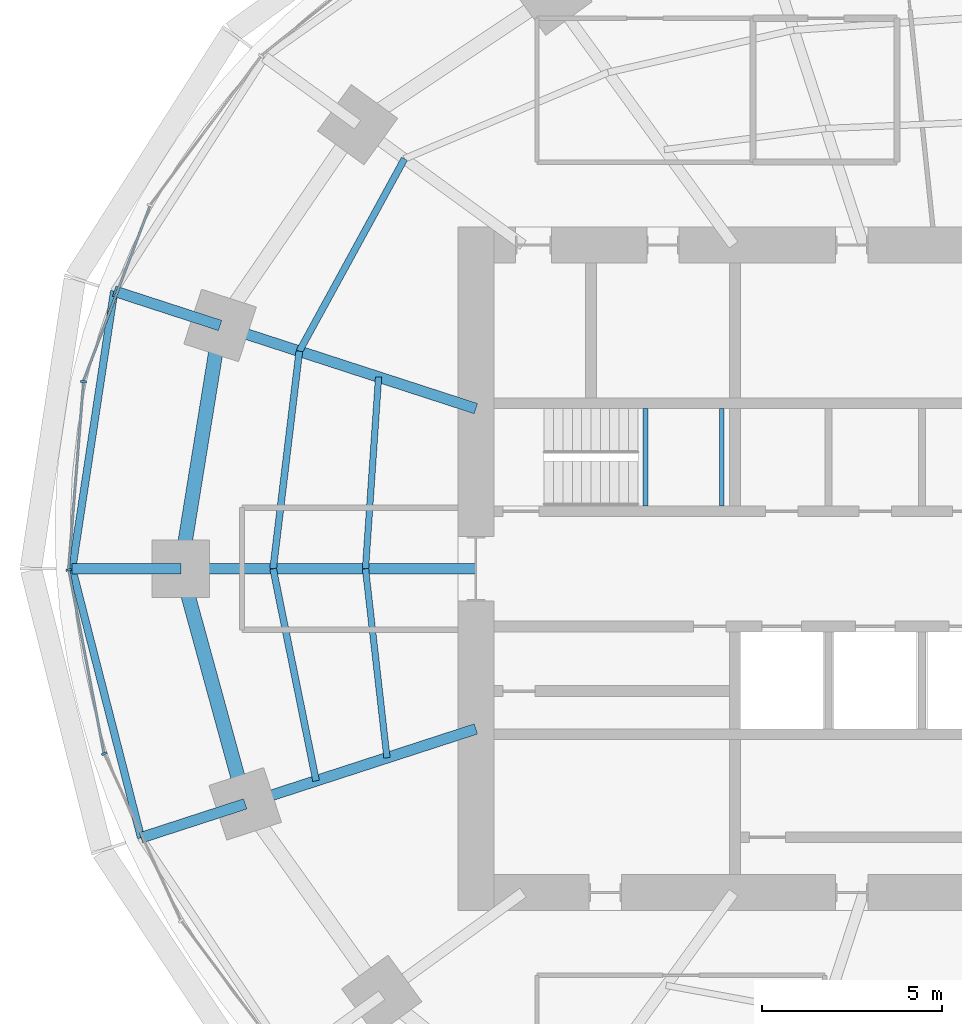
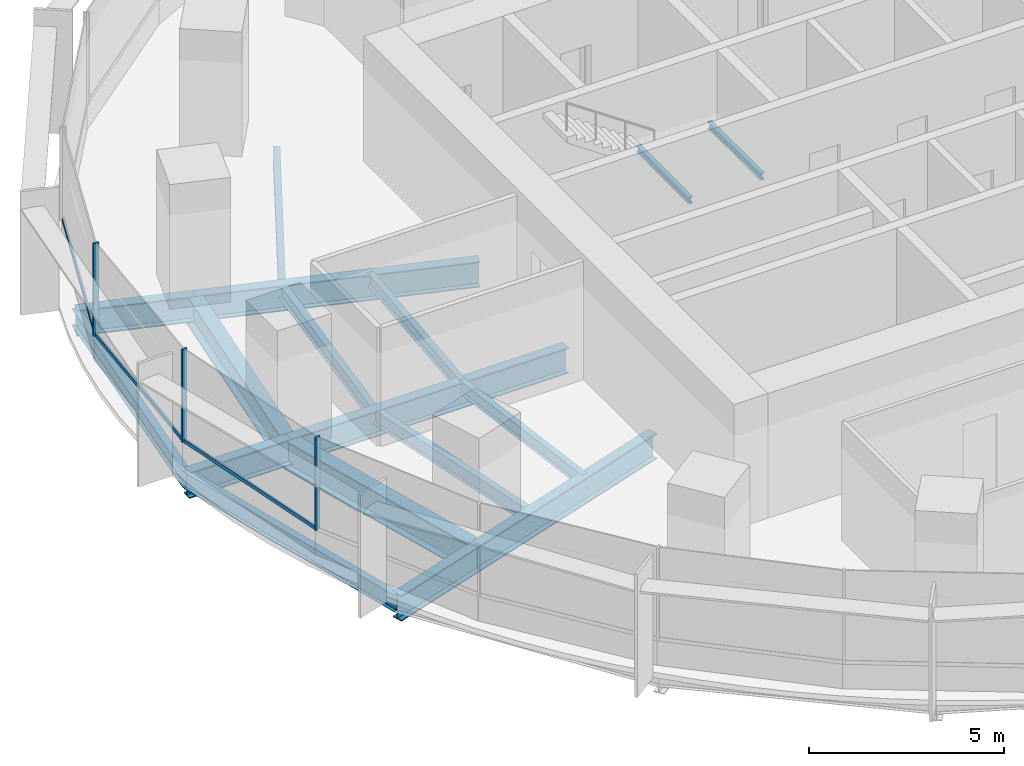
# One storey, part 4 of 14: 17 beams, 6 members, 2 elements without a shape of their own.
"""IFC4 building model written with IfcOpenShell, lengths in metres."""

from ifc_helpers import new_model, si_unit, direction, frame, origin, origin_2d, place, context, subcontext, project, spatial, rectangle, i_section, extrude, material, material_profile, profile_set, type_object, element, aggregate, save


model = new_model("IFC4")

# Units and contexts
model_context = context("Model", 3, precision=1e-05, world=origin(), true_north=direction((0.0, 1.0)))
body_context = subcontext(model_context, "Body", "Model", "MODEL_VIEW")
ifc_project = project(units=[si_unit("LENGTHUNIT", "METRE"), si_unit("AREAUNIT", "SQUARE_METRE"), si_unit("VOLUMEUNIT", "CUBIC_METRE"), si_unit("PLANEANGLEUNIT", "RADIAN"), si_unit("MASSUNIT", "GRAM", prefix="KILO")], contexts=[model_context])

# Site, building, storey
site_placement = place(None, origin())
site = spatial("IfcSite", under=ifc_project, at=site_placement, CompositionType="ELEMENT")
building_placement = place(site_placement, origin())
building = spatial("IfcBuilding", under=site, at=building_placement, Name="Marramba Exchange Tower", CompositionType="ELEMENT")
storey_placement = place(building_placement, frame((0.0, 0.0, 162.60009765625)))
storey = spatial("IfcBuildingStorey", under=building, at=storey_placement, Name="L39", CompositionType="ELEMENT", Elevation=162.60009765625)

# Beams
ifc_material_1 = material(Name="Steel AS/NZS 3679.2 grade 300", Category="steel")
ifc_material_profile_1 = material_profile(ifc_material_1, i_section(OverallWidth=0.300048828125, OverallDepth=0.800048828125, WebThickness=0.013916015625, FlangeThickness=0.031982421875, at=origin_2d()), Name="800WB192")
ifc_profile_set_1 = profile_set([ifc_material_profile_1], Name="Steel AS/NZS 3679.2 grade 300")
beam_type_1 = type_object("IfcBeamType", Name="Cantilever girder 800WB192", PredefinedType="BEAM", material=ifc_profile_set_1)
beam_1_placement = place(storey_placement, frame((-20.808349609375, 6.760986328125, -0.56005859375), z_axis=(-0.95104799017, 0.309043233858, 0.0), x_axis=(-0.309043233858, -0.95104799017, 0.0)))
element("IfcBeam", 1, at=beam_1_placement, inside=storey, type_object=beam_type_1, Name="Cantilever girder L39 TC10", PredefinedType="BEAM", context=body_context, shape_type="SweptSolid", body=[
    extrude(i_section(OverallWidth=0.300048828125, OverallDepth=0.800048828125, WebThickness=0.013916015625, FlangeThickness=0.031982421875, at=origin_2d()), origin(), (0.0, 0.0, 1.0), 3.0927734375),
])
beam_2_placement = place(storey_placement, frame((-21.89990234375, 0.0, -0.56005859375), z_axis=(-1.0, 0.0, 0.0), x_axis=(0.0, -1.0, 0.0)))
element("IfcBeam", 2, at=beam_2_placement, inside=storey, type_object=beam_type_1, Name="Cantilever girder L39 TC11", PredefinedType="BEAM", context=body_context, shape_type="SweptSolid", body=[
    extrude(i_section(OverallWidth=0.300048828125, OverallDepth=0.800048828125, WebThickness=0.013916015625, FlangeThickness=0.031982421875, at=origin_2d()), origin(), (0.0, 0.0, 1.0), 3.01806640625),
])
beam_3_placement = place(storey_placement, frame((-20.109375, -6.533935546875, -0.56005859375), z_axis=(-0.951070617775, -0.308973591113, 0.0), x_axis=(0.308973591113, -0.951070617775, 0.0)))
element("IfcBeam", 3, at=beam_3_placement, inside=storey, type_object=beam_type_1, Name="Cantilever girder L39 TC12", PredefinedType="BEAM", context=body_context, shape_type="SweptSolid", body=[
    extrude(i_section(OverallWidth=0.300048828125, OverallDepth=0.800048828125, WebThickness=0.013916015625, FlangeThickness=0.031982421875, at=origin_2d()), origin(), (0.0, 0.0, 1.0), 3.04296875),
])
ifc_material_2 = material(Name="Steel AS/NZS 3679.1 grade 300", Category="steel")
ifc_material_profile_2 = material_profile(ifc_material_2, i_section(OverallWidth=0.177978515625, OverallDepth=0.406005859375, WebThickness=0.0078125, FlangeThickness=0.0126953125, FilletRadius=0.011474609375, at=origin_2d()), Name="410UB59.7")
ifc_profile_set_2 = profile_set([ifc_material_profile_2], Name="Steel AS/NZS 3679.1 grade 300")
beam_type_2 = type_object("IfcBeamType", Name="Floor joist 410UB59.7", PredefinedType="JOIST", material=ifc_profile_set_2)
beam_4_placement = place(storey_placement, frame((-16.40283203125, 5.32958984375, -0.363037109375), z_axis=(-0.068096259546, -0.99767875563, 0.0), x_axis=(0.99767875563, -0.068096259546, 0.0)))
element("IfcBeam", 4, at=beam_4_placement, inside=storey, type_object=beam_type_2, Name="Joist L39 bay 10 row 1", PredefinedType="JOIST", context=body_context, shape_type="SweptSolid", body=[
    extrude(i_section(OverallWidth=0.177978515625, OverallDepth=0.406005859375, WebThickness=0.0078125, FlangeThickness=0.0126953125, FilletRadius=0.011474609375, at=origin_2d()), origin(), (0.0, 0.0, 1.0), 5.342041015625),
])
beam_5_placement = place(storey_placement, frame((-16.7666015625, 0.0, -0.363037109375), z_axis=(0.112888968594, -0.993607609054, 0.0), x_axis=(0.993607609054, 0.112888968594, 0.0)))
element("IfcBeam", 5, at=beam_5_placement, inside=storey, type_object=beam_type_2, Name="Joist L39 bay 11 row 1", PredefinedType="JOIST", context=body_context, shape_type="SweptSolid", body=[
    extrude(i_section(OverallWidth=0.177978515625, OverallDepth=0.406005859375, WebThickness=0.0078125, FlangeThickness=0.0126953125, FilletRadius=0.011474609375, at=origin_2d()), origin(), (0.0, 0.0, 1.0), 5.28759765625),
])
ifc_material_profile_3 = material_profile(ifc_material_2, i_section(OverallWidth=0.18994140625, OverallDepth=0.4541015625, WebThickness=0.008544921875, FlangeThickness=0.0126953125, FilletRadius=0.011474609375, at=origin_2d()), Name="460UB67.1")
ifc_profile_set_3 = profile_set([ifc_material_profile_3], Name="Steel AS/NZS 3679.1 grade 300")
beam_type_3 = type_object("IfcBeamType", Name="Floor joist 460UB67.1", PredefinedType="JOIST", material=ifc_profile_set_3)
beam_6_placement = place(storey_placement, frame((-15.682373046875, 11.393798828125, -0.38720703125), z_axis=(-0.479584443791, -0.877495732909, 0.0), x_axis=(0.877495732909, -0.479584443791, 0.0)))
element("IfcBeam", 6, at=beam_6_placement, inside=storey, type_object=beam_type_3, Name="Joist L39 bay 09 row 2", PredefinedType="JOIST", context=body_context, shape_type="SweptSolid", body=[
    extrude(i_section(OverallWidth=0.18994140625, OverallDepth=0.4541015625, WebThickness=0.008544921875, FlangeThickness=0.0126953125, FilletRadius=0.011474609375, at=origin_2d()), origin(), (0.0, 0.0, 1.0), 6.094970703125),
])
beam_7_placement = place(storey_placement, frame((-18.60546875, 6.04541015625, -0.38720703125), z_axis=(-0.119523078538, -0.992831422597, 0.0), x_axis=(0.992831422597, -0.119523078538, 0.0)))
element("IfcBeam", 7, at=beam_7_placement, inside=storey, type_object=beam_type_3, Name="Joist L39 bay 10 row 2", PredefinedType="JOIST", context=body_context, shape_type="SweptSolid", body=[
    extrude(i_section(OverallWidth=0.18994140625, OverallDepth=0.4541015625, WebThickness=0.008544921875, FlangeThickness=0.0126953125, FilletRadius=0.011474609375, at=origin_2d()), origin(), (0.0, 0.0, 1.0), 6.089111328125),
])
beam_8_placement = place(storey_placement, frame((-19.333251953125, 0.0, -0.38720703125), z_axis=(0.198489047047, -0.980103105904, 0.0), x_axis=(0.980103105904, 0.198489047047, 0.0)))
element("IfcBeam", 8, at=beam_8_placement, inside=storey, type_object=beam_type_3, Name="Joist L39 bay 11 row 2", PredefinedType="JOIST", context=body_context, shape_type="SweptSolid", body=[
    extrude(i_section(OverallWidth=0.18994140625, OverallDepth=0.4541015625, WebThickness=0.008544921875, FlangeThickness=0.0126953125, FilletRadius=0.011474609375, at=origin_2d()), origin(), (0.0, 0.0, 1.0), 6.013427734375),
])

# Curtain wall, member
ifc_material_3 = material(Name="Aluminium framing, bronze anodised", Category="aluminium")
curtain_wall_type = type_object("IfcCurtainWallType", Name="Office ribbon curtain wall", PredefinedType="USERDEFINED", material=ifc_material_3)
curtain_wall_1_placement = place(storey_placement, origin())
curtain_wall_1 = element("IfcCurtainWall", 9, at=curtain_wall_1_placement, inside=storey, type_object=curtain_wall_type, Name="Curtain wall CW4 L39 F11-F15", ObjectType="RIBBON CURTAIN WALL", PredefinedType="USERDEFINED")
ifc_material_4 = material(Name="Aluminium mullion, bronze anodised", Category="aluminium")
ifc_material_profile_4 = material_profile(ifc_material_4, rectangle(XDim=0.159912109375, YDim=0.06005859375, at=origin_2d()), Name="CW4 mullion 60x160")
ifc_profile_set_4 = profile_set([ifc_material_profile_4], Name="Aluminium mullion, bronze anodised")
member_type_1 = type_object("IfcMemberType", Name="Office ribbon curtain wall mullion", PredefinedType="MULLION", material=ifc_profile_set_4)
member_1_placement = place(storey_placement, frame((-24.603515625, 5.19921875, 0.7998046875), z_axis=(0.0, 0.0, 1.0), x_axis=(0.996838079455, -0.079459696383, 0.0)))
member_1 = element("IfcMember", 10, at=member_1_placement, type_object=member_type_1, Name="CW4 mullion 1", PredefinedType="MULLION", context=body_context, shape_type="SweptSolid", body=[
    extrude(rectangle(XDim=0.159912109375, YDim=0.06005859375, at=origin_2d()), origin(), (0.0, 0.0, 1.0), 2.900146484375),
])

# Curtain wall, members
curtain_wall_2_placement = place(storey_placement, origin())
curtain_wall_2 = element("IfcCurtainWall", 11, at=curtain_wall_2_placement, inside=storey, type_object=curtain_wall_type, Name="Curtain wall CW4 L39 F16-F20", ObjectType="RIBBON CURTAIN WALL", PredefinedType="USERDEFINED")
member_2_placement = place(storey_placement, frame((-25.012451171875, -0.029541015625, 0.7998046875), z_axis=(0.0, 0.0, 1.0), x_axis=(0.982125509078, 0.18822721487, 0.0)))
member_2 = element("IfcMember", 12, at=member_2_placement, type_object=member_type_1, Name="CW4 mullion 1", PredefinedType="MULLION", context=body_context, shape_type="SweptSolid", body=[
    extrude(rectangle(XDim=0.159912109375, YDim=0.06005859375, at=origin_2d()), origin(), (0.0, 0.0, 1.0), 2.900146484375),
])
member_3_placement = place(storey_placement, frame((-24.026123046875, -5.136962890625, 0.7998046875), z_axis=(0.0, 0.0, 1.0), x_axis=(0.909026713177, 0.416737848929, 0.0)))
member_3 = element("IfcMember", 13, at=member_3_placement, type_object=member_type_1, Name="CW4 mullion 1", PredefinedType="MULLION", context=body_context, shape_type="SweptSolid", body=[
    extrude(rectangle(XDim=0.159912109375, YDim=0.06005859375, at=origin_2d()), origin(), (0.0, 0.0, 1.0), 2.900146484375),
])

# Member
ifc_material_5 = material(Name="Aluminium transom, bronze anodised", Category="aluminium")
ifc_material_profile_5 = material_profile(ifc_material_5, rectangle(XDim=0.06005859375, YDim=0.1201171875, at=origin_2d()), Name="CW4 transom 60x120")
ifc_profile_set_5 = profile_set([ifc_material_profile_5], Name="Aluminium transom, bronze anodised")
member_type_2 = type_object("IfcMemberType", Name="Office ribbon curtain wall transom", PredefinedType="USERDEFINED", material=ifc_profile_set_5)
member_4_placement = place(storey_placement, frame((-22.763916015625, 10.069580078125, 0.829833984375), z_axis=(-0.354851822252, -0.934922555212, 0.0), x_axis=(0.934922555212, -0.354851822252, 0.0)))
member_4 = element("IfcMember", 14, at=member_4_placement, type_object=member_type_2, Name="CW4 sill transom", ObjectType="TRANSOM", PredefinedType="USERDEFINED", context=body_context, shape_type="SweptSolid", body=[
    extrude(rectangle(XDim=0.06005859375, YDim=0.1201171875, at=origin_2d()), origin(), (0.0, 0.0, 1.0), 5.17724609375),
])

member_5_placement = place(storey_placement, frame((-24.60595703125, 5.16943359375, 0.829833984375), z_axis=(-0.07946828762, -0.996837394595, 0.0), x_axis=(0.996837394595, -0.07946828762, 0.0)))
member_5 = element("IfcMember", 15, at=member_5_placement, type_object=member_type_2, Name="CW4 sill transom", ObjectType="TRANSOM", PredefinedType="USERDEFINED", context=body_context, shape_type="SweptSolid", body=[
    extrude(rectangle(XDim=0.06005859375, YDim=0.1201171875, at=origin_2d()), origin(), (0.0, 0.0, 1.0), 5.185791015625),
])

aggregate(curtain_wall_1, [member_4, member_1, member_5])

member_6_placement = place(storey_placement, frame((-25.006591796875, -0.058837890625, 0.829833984375), z_axis=(0.188185293992, -0.982133542409, 0.0), x_axis=(0.982133542409, 0.188185293992, 0.0)))
member_6 = element("IfcMember", 16, at=member_6_placement, type_object=member_type_2, Name="CW4 sill transom", ObjectType="TRANSOM", PredefinedType="USERDEFINED", context=body_context, shape_type="SweptSolid", body=[
    extrude(rectangle(XDim=0.06005859375, YDim=0.1201171875, at=origin_2d()), origin(), (0.0, 0.0, 1.0), 5.142578125),
])

aggregate(curtain_wall_2, [member_2, member_6, member_3])

# Beams
ifc_material_profile_6 = material_profile(ifc_material_1, i_section(OverallWidth=0.300048828125, OverallDepth=0.800048828125, WebThickness=0.013916015625, FlangeThickness=0.031982421875, at=origin_2d()), Name="800WB192")
ifc_profile_set_6 = profile_set([ifc_material_profile_6], Name="Steel AS/NZS 3679.2 grade 300")
beam_type_4 = type_object("IfcBeamType", Name="Radial girder 800WB192", PredefinedType="BEAM", material=ifc_profile_set_6)
beam_9_placement = place(storey_placement, frame((-13.699951171875, 4.451416015625, -0.56005859375), z_axis=(-0.951059990189, 0.309006302624, 0.0), x_axis=(-0.309006302624, -0.951059990189, 0.0)))
element("IfcBeam", 17, at=beam_9_placement, inside=storey, type_object=beam_type_4, Name="Radial girder L39 TC10", PredefinedType="BEAM", context=body_context, shape_type="SweptSolid", body=[
    extrude(i_section(OverallWidth=0.300048828125, OverallDepth=0.800048828125, WebThickness=0.013916015625, FlangeThickness=0.031982421875, at=origin_2d()), origin(), (0.0, 0.0, 1.0), 7.47412109375),
])
beam_10_placement = place(storey_placement, frame((-13.699951171875, 0.0, -0.56005859375), z_axis=(-1.0, 0.0, 0.0), x_axis=(0.0, -1.0, 0.0)))
element("IfcBeam", 18, at=beam_10_placement, inside=storey, type_object=beam_type_4, Name="Radial girder L39 TC11", PredefinedType="BEAM", context=body_context, shape_type="SweptSolid", body=[
    extrude(i_section(OverallWidth=0.300048828125, OverallDepth=0.800048828125, WebThickness=0.013916015625, FlangeThickness=0.031982421875, at=origin_2d()), origin(), (0.0, 0.0, 1.0), 8.199951171875),
])
beam_11_placement = place(storey_placement, frame((-13.699951171875, -4.451416015625, -0.56005859375), z_axis=(-0.951057759669, -0.309013167637, 0.0), x_axis=(0.309013167637, -0.951057759669, 0.0)))
element("IfcBeam", 19, at=beam_11_placement, inside=storey, type_object=beam_type_4, Name="Radial girder L39 TC12", PredefinedType="BEAM", context=body_context, shape_type="SweptSolid", body=[
    extrude(i_section(OverallWidth=0.300048828125, OverallDepth=0.800048828125, WebThickness=0.013916015625, FlangeThickness=0.031982421875, at=origin_2d()), origin(), (0.0, 0.0, 1.0), 6.7392578125),
])
ifc_material_profile_7 = material_profile(ifc_material_1, i_section(OverallWidth=0.39990234375, OverallDepth=0.89990234375, WebThickness=0.01611328125, FlangeThickness=0.031982421875, at=origin_2d()), Name="900WB282")
ifc_profile_set_7 = profile_set([ifc_material_profile_7], Name="Steel AS/NZS 3679.2 grade 300")
beam_type_5 = type_object("IfcBeamType", Name="Ring beam 900WB282", PredefinedType="SPANDREL", material=ifc_profile_set_7)
beam_12_placement = place(storey_placement, frame((-20.808349609375, 6.760986328125, -0.610107421875), z_axis=(-0.159384865399, -0.987216523708, 0.0), x_axis=(0.987216523708, -0.159384865399, 0.0)))
element("IfcBeam", 20, at=beam_12_placement, inside=storey, type_object=beam_type_5, Name="Ring beam L39 TC10-TC11", PredefinedType="SPANDREL", context=body_context, shape_type="SweptSolid", body=[
    extrude(i_section(OverallWidth=0.39990234375, OverallDepth=0.89990234375, WebThickness=0.01611328125, FlangeThickness=0.031982421875, at=origin_2d()), origin(), (0.0, 0.0, 1.0), 6.8486328125),
])
beam_13_placement = place(storey_placement, frame((-21.89990234375, 0.0, -0.610107421875), z_axis=(0.264291166956, -0.964442937176, 0.0), x_axis=(0.964442937176, 0.264291166956, 0.0)))
element("IfcBeam", 21, at=beam_13_placement, inside=storey, type_object=beam_type_5, Name="Ring beam L39 TC11-TC12", PredefinedType="SPANDREL", context=body_context, shape_type="SweptSolid", body=[
    extrude(i_section(OverallWidth=0.39990234375, OverallDepth=0.89990234375, WebThickness=0.01611328125, FlangeThickness=0.031982421875, at=origin_2d()), origin(), (0.0, 0.0, 1.0), 6.77490234375),
])
ifc_material_profile_8 = material_profile(ifc_material_2, i_section(OverallWidth=0.208984375, OverallDepth=0.528076171875, WebThickness=0.009521484375, FlangeThickness=0.01318359375, FilletRadius=0.013916015625, at=origin_2d()), Name="530UB82.0")
ifc_profile_set_8 = profile_set([ifc_material_profile_8], Name="Steel AS/NZS 3679.1 grade 300")
beam_type_6 = type_object("IfcBeamType", Name="Slab edge beam 530UB82.0", PredefinedType="SPANDREL", material=ifc_profile_set_8)
beam_14_placement = place(storey_placement, frame((-23.749755859375, 7.716796875, -0.424072265625), z_axis=(-0.149680281727, -0.988734450326, 0.0), x_axis=(0.988734450326, -0.149680281727, 0.0)))
element("IfcBeam", 22, at=beam_14_placement, inside=storey, type_object=beam_type_6, Name="Slab edge beam L39 TC10-TC11", PredefinedType="SPANDREL", context=body_context, shape_type="SweptSolid", body=[
    extrude(i_section(OverallWidth=0.208984375, OverallDepth=0.528076171875, WebThickness=0.009521484375, FlangeThickness=0.01318359375, FilletRadius=0.013916015625, at=origin_2d()), origin(), (0.0, 0.0, 1.0), 7.8046875),
])
beam_15_placement = place(storey_placement, frame((-24.91796875, 0.0, -0.424072265625), z_axis=(0.248145427917, -0.968722791413, 0.0), x_axis=(0.968722791413, 0.248145427917, 0.0)))
element("IfcBeam", 23, at=beam_15_placement, inside=storey, type_object=beam_type_6, Name="Slab edge beam L39 TC11-TC12", PredefinedType="SPANDREL", context=body_context, shape_type="SweptSolid", body=[
    extrude(i_section(OverallWidth=0.208984375, OverallDepth=0.528076171875, WebThickness=0.009521484375, FlangeThickness=0.01318359375, FilletRadius=0.013916015625, at=origin_2d()), origin(), (0.0, 0.0, 1.0), 7.71533203125),
])
ifc_material_profile_9 = material_profile(ifc_material_2, i_section(OverallWidth=0.133056640625, OverallDepth=0.202880859375, WebThickness=0.005859375, FlangeThickness=0.0078125, FilletRadius=0.0087890625, at=origin_2d()), Name="200UB25.4")
ifc_profile_set_9 = profile_set([ifc_material_profile_9], Name="Steel AS/NZS 3679.1 grade 300")
beam_type_7 = type_object("IfcBeamType", Name="Stair landing beam 200UB25.4", PredefinedType="BEAM", material=ifc_profile_set_9)
for number, where, z_axis, x_axis, name in (
    (24, (-8.9833984375, 1.75, 1.6484375), (0.0, 1.0, 0.0), (-1.0, 0.0, 0.0), "Stair landing beam SLB1 ST1 L39 1"),
    (25, (-6.866455078125, 1.75, 1.6484375), (0.0, 1.0, 0.0), (-1.0, 0.0, 0.0), "Stair landing beam SLB1 ST1 L39 2"),
):
    element("IfcBeam", number, at=place(storey_placement, frame(where, z_axis=z_axis, x_axis=x_axis)), inside=storey, type_object=beam_type_7, Name=name, PredefinedType="BEAM", context=body_context, shape_type="SweptSolid", body=[
        extrude(i_section(OverallWidth=0.133056640625, OverallDepth=0.202880859375, WebThickness=0.005859375, FlangeThickness=0.0078125, FilletRadius=0.0087890625, at=origin_2d()), origin(), (0.0, 0.0, 1.0), 2.699951171875),
    ])

save(model, "model.ifc")
